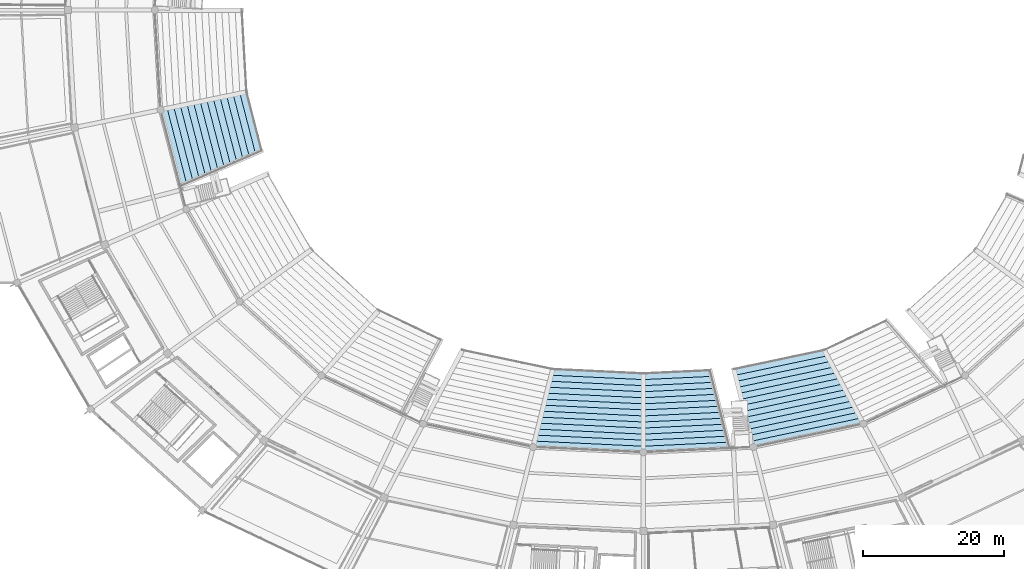
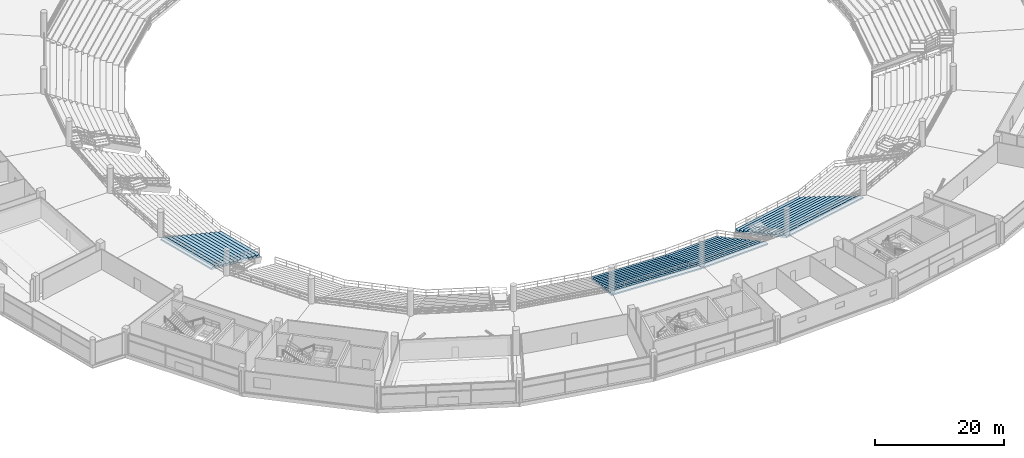
# One storey, part 110 of 156: 4 slabs.
"""IFC4 building model written with IfcOpenShell, lengths in metres."""

from ifc_helpers import new_model, si_unit, direction, frame, origin, place, context, subcontext, project, spatial, polygons, material, layer, layer_set, type_object, element, save


model = new_model("IFC4")

# Units and contexts
model_context = context("Model", 3, precision=1e-05, world=origin(), true_north=direction((0.0, 1.0)))
body_context = subcontext(model_context, "Body", "Model", "MODEL_VIEW")
ifc_project = project(units=[si_unit("LENGTHUNIT", "METRE"), si_unit("AREAUNIT", "SQUARE_METRE"), si_unit("VOLUMEUNIT", "CUBIC_METRE"), si_unit("PLANEANGLEUNIT", "RADIAN"), si_unit("MASSUNIT", "GRAM", prefix="KILO")], contexts=[model_context])

# Site, building, storey
site_placement = place(None, origin())
site = spatial("IfcSite", under=ifc_project, at=site_placement, CompositionType="ELEMENT")
building_placement = place(site_placement, origin())
building = spatial("IfcBuilding", under=site, at=building_placement, Name="Kazemori Nagisa Stadium", CompositionType="ELEMENT")
storey_placement = place(building_placement, frame((0.0, 0.0, 5.780029296875)))
storey = spatial("IfcBuildingStorey", under=building, at=storey_placement, Name="L01", CompositionType="ELEMENT", Elevation=5.780029296875)

# Slabs
ifc_material = material(Name="Concrete C36/45 (Fc36)", Category="concrete")
ifc_layer_1 = layer(ifc_material, 4.93994140625, Name="Concrete C36/45 (Fc36)", Category="concrete")
ifc_layer_set_1 = layer_set([ifc_layer_1], Name="Concrete C36/45 (Fc36)")
slab_type_1 = type_object("IfcSlabType", Name="SeatingTier_ST-LOW-13", PredefinedType="USERDEFINED", material=ifc_layer_set_1)
slab_1_placement = place(storey_placement, frame((0.0, 0.0, -5.780029296875)))
element("IfcSlab", 1, at=slab_1_placement, inside=storey, type_object=slab_type_1, Name="Stand lower tier bay 21", ObjectType="SEATING TIER", PredefinedType="USERDEFINED", context=body_context, shape_type="Tessellation", body=[
    polygons([(123.0, 50.39990234375, 0.239990234375), (123.0, 50.39990234375, 0.860107421875), (123.0, 49.539794921875, 0.860107421875), (123.0, 49.539794921875, 1.22021484375), (123.0, 48.679931640625, 1.22021484375), (123.0, 48.679931640625, 1.580322265625), (123.0, 47.81982421875, 1.580322265625), (123.0, 47.81982421875, 1.9404296875), (123.0, 46.9599609375, 1.9404296875), (123.0, 46.9599609375, 2.300537109375), (123.0, 46.099853515625, 2.300537109375), (123.0, 46.099853515625, 2.66064453125), (123.0, 45.239990234375, 2.66064453125), (123.0, 45.239990234375, 3.020751953125), (123.0, 44.3798828125, 3.020751953125), (123.0, 44.3798828125, 3.380859375), (123.0, 43.52001953125, 3.380859375), (123.0, 43.52001953125, 3.740966796875), (123.0, 42.659912109375, 3.740966796875), (123.0, 42.659912109375, 4.10107421875), (123.0, 41.800048828125, 4.10107421875), (123.0, 41.800048828125, 4.461181640625), (123.0, 40.93994140625, 4.461181640625), (123.0, 40.93994140625, 4.8212890625), (123.0, 40.080078125, 4.8212890625), (123.0, 40.080078125, 5.181396484375), (123.0, 39.219970703125, 5.181396484375), (123.0, 39.219970703125, 4.92138671875), (123.0, 40.080078125, 4.561279296875), (123.0, 40.93994140625, 4.201171875), (123.0, 41.800048828125, 3.841064453125), (123.0, 42.659912109375, 3.48095703125), (123.0, 43.52001953125, 3.120849609375), (123.0, 44.3798828125, 2.7607421875), (123.0, 45.239990234375, 2.400634765625), (123.0, 46.099853515625, 2.04052734375), (123.0, 46.9599609375, 1.680419921875), (123.0, 47.81982421875, 1.3203125), (123.0, 48.679931640625, 0.960205078125), (123.0, 49.539794921875, 0.60009765625), (110.143310546875, 51.0078125, 0.239990234375), (110.143310546875, 51.0078125, 0.860107421875), (109.928955078125, 50.157958984375, 0.860107421875), (109.928955078125, 50.157958984375, 1.22021484375), (109.71484375, 49.30810546875, 1.22021484375), (109.71484375, 49.30810546875, 1.580322265625), (109.50048828125, 48.458251953125, 1.580322265625), (109.50048828125, 48.458251953125, 1.9404296875), (109.286376953125, 47.6083984375, 1.9404296875), (109.286376953125, 47.6083984375, 2.300537109375), (109.072021484375, 46.758544921875, 2.300537109375), (109.072021484375, 46.758544921875, 2.66064453125), (108.857666015625, 45.90869140625, 2.66064453125), (108.857666015625, 45.90869140625, 3.020751953125), (108.6435546875, 45.058837890625, 3.020751953125), (108.6435546875, 45.058837890625, 3.380859375), (108.42919921875, 44.208984375, 3.380859375), (108.42919921875, 44.208984375, 3.740966796875), (108.21484375, 43.359130859375, 3.740966796875), (108.21484375, 43.359130859375, 4.10107421875), (108.000732421875, 42.50927734375, 4.10107421875), (108.000732421875, 42.50927734375, 4.461181640625), (107.786376953125, 41.659423828125, 4.461181640625), (107.786376953125, 41.659423828125, 4.8212890625), (107.572265625, 40.8095703125, 4.8212890625), (107.572265625, 40.8095703125, 5.181396484375), (107.35791015625, 39.959716796875, 5.181396484375), (107.35791015625, 39.959716796875, 4.92138671875), (107.572265625, 40.8095703125, 4.561279296875), (107.786376953125, 41.659423828125, 4.201171875), (108.000732421875, 42.50927734375, 3.841064453125), (108.21484375, 43.359130859375, 3.48095703125), (108.42919921875, 44.208984375, 3.120849609375), (108.6435546875, 45.058837890625, 2.7607421875), (108.857666015625, 45.90869140625, 2.400634765625), (109.072021484375, 46.758544921875, 2.04052734375), (109.286376953125, 47.6083984375, 1.680419921875), (109.50048828125, 48.458251953125, 1.3203125), (109.71484375, 49.30810546875, 0.960205078125), (109.928955078125, 50.157958984375, 0.60009765625)], [[[1, 41, 42]], [[1, 42, 2]], [[2, 42, 43]], [[2, 43, 3]], [[3, 43, 44]], [[3, 44, 4]], [[4, 44, 45]], [[4, 45, 5]], [[5, 45, 46]], [[5, 46, 6]], [[6, 46, 47]], [[6, 47, 7]], [[7, 47, 48]], [[7, 48, 8]], [[8, 48, 49]], [[8, 49, 9]], [[9, 49, 50]], [[9, 50, 10]], [[10, 50, 51]], [[10, 51, 11]], [[11, 51, 52]], [[11, 52, 12]], [[12, 52, 53]], [[12, 53, 13]], [[13, 53, 54]], [[13, 54, 14]], [[14, 54, 55]], [[14, 55, 15]], [[15, 55, 56]], [[15, 56, 16]], [[16, 56, 57]], [[16, 57, 17]], [[17, 57, 58]], [[17, 58, 18]], [[18, 58, 59]], [[18, 59, 19]], [[19, 59, 60]], [[19, 60, 20]], [[20, 60, 61]], [[20, 61, 21]], [[21, 61, 62]], [[21, 62, 22]], [[22, 62, 63]], [[22, 63, 23]], [[23, 63, 64]], [[23, 64, 24]], [[24, 64, 65]], [[24, 65, 25]], [[25, 65, 66]], [[25, 66, 26]], [[26, 66, 67]], [[26, 67, 27]], [[27, 67, 68]], [[27, 68, 28]], [[28, 68, 29]], [[29, 68, 69]], [[29, 69, 30]], [[30, 69, 70]], [[30, 70, 31]], [[31, 70, 71]], [[31, 71, 32]], [[32, 71, 72]], [[32, 72, 33]], [[33, 72, 73]], [[33, 73, 34]], [[34, 73, 74]], [[34, 74, 35]], [[35, 74, 75]], [[35, 75, 36]], [[36, 75, 76]], [[36, 76, 37]], [[37, 76, 77]], [[37, 77, 38]], [[38, 77, 78]], [[38, 78, 39]], [[39, 78, 79]], [[39, 79, 40]], [[40, 79, 80]], [[40, 80, 1]], [[1, 80, 41]], [[1, 2, 3]], [[43, 42, 41]], [[1, 3, 40]], [[80, 43, 41]], [[40, 3, 39]], [[79, 43, 80]], [[39, 3, 5]], [[45, 43, 79]], [[3, 4, 5]], [[45, 44, 43]], [[39, 5, 38]], [[78, 45, 79]], [[38, 5, 7]], [[47, 45, 78]], [[5, 6, 7]], [[47, 46, 45]], [[38, 7, 37]], [[77, 47, 78]], [[37, 7, 9]], [[49, 47, 77]], [[7, 8, 9]], [[49, 48, 47]], [[37, 9, 36]], [[76, 49, 77]], [[36, 9, 11]], [[51, 49, 76]], [[9, 10, 11]], [[51, 50, 49]], [[36, 11, 35]], [[75, 51, 76]], [[35, 11, 13]], [[53, 51, 75]], [[11, 12, 13]], [[53, 52, 51]], [[35, 13, 34]], [[74, 53, 75]], [[34, 13, 15]], [[55, 53, 74]], [[13, 14, 15]], [[55, 54, 53]], [[34, 15, 33]], [[73, 55, 74]], [[33, 15, 17]], [[57, 55, 73]], [[15, 16, 17]], [[57, 56, 55]], [[33, 17, 32]], [[72, 57, 73]], [[32, 17, 19]], [[59, 57, 72]], [[17, 18, 19]], [[59, 58, 57]], [[32, 19, 31]], [[71, 59, 72]], [[31, 19, 21]], [[61, 59, 71]], [[19, 20, 21]], [[61, 60, 59]], [[31, 21, 30]], [[70, 61, 71]], [[30, 21, 23]], [[63, 61, 70]], [[21, 22, 23]], [[63, 62, 61]], [[30, 23, 29]], [[69, 63, 70]], [[29, 23, 25]], [[65, 63, 69]], [[23, 24, 25]], [[65, 64, 63]], [[29, 25, 28]], [[68, 65, 69]], [[28, 25, 27]], [[67, 65, 68]], [[25, 26, 27]], [[67, 66, 65]]], closed=True),
])
slab_2_placement = place(storey_placement, frame((0.0, 0.0, -5.780029296875)))
element("IfcSlab", 2, at=slab_2_placement, inside=storey, type_object=slab_type_1, Name="Stand lower tier bay 23", ObjectType="SEATING TIER", PredefinedType="USERDEFINED", context=body_context, shape_type="Tessellation", body=[
    polygons([(148.682861328125, 53.721435546875, 0.239990234375), (148.682861328125, 53.721435546875, 0.860107421875), (149.11083984375, 52.916748046875, 0.860107421875), (149.11083984375, 52.916748046875, 1.22021484375), (149.5390625, 52.112060546875, 1.22021484375), (149.5390625, 52.112060546875, 1.580322265625), (149.967041015625, 51.307373046875, 1.580322265625), (149.967041015625, 51.307373046875, 1.9404296875), (150.39501953125, 50.5029296875, 1.9404296875), (150.39501953125, 50.5029296875, 2.300537109375), (150.8232421875, 49.6982421875, 2.300537109375), (150.8232421875, 49.6982421875, 2.66064453125), (151.251220703125, 48.8935546875, 2.66064453125), (151.251220703125, 48.8935546875, 3.020751953125), (151.67919921875, 48.0888671875, 3.020751953125), (151.67919921875, 48.0888671875, 3.380859375), (152.107177734375, 47.2841796875, 3.380859375), (152.107177734375, 47.2841796875, 3.740966796875), (152.535400390625, 46.4794921875, 3.740966796875), (152.535400390625, 46.4794921875, 4.10107421875), (152.96337890625, 45.675048828125, 4.10107421875), (152.96337890625, 45.675048828125, 4.461181640625), (153.391357421875, 44.870361328125, 4.461181640625), (153.391357421875, 44.870361328125, 4.8212890625), (153.819580078125, 44.065673828125, 4.8212890625), (153.819580078125, 44.065673828125, 5.181396484375), (154.24755859375, 43.260986328125, 5.181396484375), (154.24755859375, 43.260986328125, 4.92138671875), (153.819580078125, 44.065673828125, 4.561279296875), (153.391357421875, 44.870361328125, 4.201171875), (152.96337890625, 45.675048828125, 3.841064453125), (152.535400390625, 46.4794921875, 3.48095703125), (152.107177734375, 47.2841796875, 3.120849609375), (151.67919921875, 48.0888671875, 2.7607421875), (151.251220703125, 48.8935546875, 2.400634765625), (150.8232421875, 49.6982421875, 2.04052734375), (150.39501953125, 50.5029296875, 1.680419921875), (149.967041015625, 51.307373046875, 1.3203125), (149.5390625, 52.112060546875, 0.960205078125), (149.11083984375, 52.916748046875, 0.60009765625), (135.856689453125, 51.0078125, 0.239990234375), (135.856689453125, 51.0078125, 0.860107421875), (136.071044921875, 50.157958984375, 0.860107421875), (136.071044921875, 50.157958984375, 1.22021484375), (136.28515625, 49.30810546875, 1.22021484375), (136.28515625, 49.30810546875, 1.580322265625), (136.49951171875, 48.458251953125, 1.580322265625), (136.49951171875, 48.458251953125, 1.9404296875), (136.713623046875, 47.6083984375, 1.9404296875), (136.713623046875, 47.6083984375, 2.300537109375), (136.927978515625, 46.758544921875, 2.300537109375), (136.927978515625, 46.758544921875, 2.66064453125), (137.142333984375, 45.90869140625, 2.66064453125), (137.142333984375, 45.90869140625, 3.020751953125), (137.3564453125, 45.058837890625, 3.020751953125), (137.3564453125, 45.058837890625, 3.380859375), (137.57080078125, 44.208984375, 3.380859375), (137.57080078125, 44.208984375, 3.740966796875), (137.78515625, 43.359130859375, 3.740966796875), (137.78515625, 43.359130859375, 4.10107421875), (137.999267578125, 42.50927734375, 4.10107421875), (137.999267578125, 42.50927734375, 4.461181640625), (138.213623046875, 41.659423828125, 4.461181640625), (138.213623046875, 41.659423828125, 4.8212890625), (138.427734375, 40.8095703125, 4.8212890625), (138.427734375, 40.8095703125, 5.181396484375), (138.64208984375, 39.959716796875, 5.181396484375), (138.64208984375, 39.959716796875, 4.92138671875), (138.427734375, 40.8095703125, 4.561279296875), (138.213623046875, 41.659423828125, 4.201171875), (137.999267578125, 42.50927734375, 3.841064453125), (137.78515625, 43.359130859375, 3.48095703125), (137.57080078125, 44.208984375, 3.120849609375), (137.3564453125, 45.058837890625, 2.7607421875), (137.142333984375, 45.90869140625, 2.400634765625), (136.927978515625, 46.758544921875, 2.04052734375), (136.713623046875, 47.6083984375, 1.680419921875), (136.49951171875, 48.458251953125, 1.3203125), (136.28515625, 49.30810546875, 0.960205078125), (136.071044921875, 50.157958984375, 0.60009765625)], [[[1, 41, 42]], [[1, 42, 2]], [[2, 42, 43]], [[2, 43, 3]], [[3, 43, 44]], [[3, 44, 4]], [[4, 44, 45]], [[4, 45, 5]], [[5, 45, 46]], [[5, 46, 6]], [[6, 46, 47]], [[6, 47, 7]], [[7, 47, 48]], [[7, 48, 8]], [[8, 48, 49]], [[8, 49, 9]], [[9, 49, 50]], [[9, 50, 10]], [[10, 50, 51]], [[10, 51, 11]], [[11, 51, 52]], [[11, 52, 12]], [[12, 52, 53]], [[12, 53, 13]], [[13, 53, 54]], [[13, 54, 14]], [[14, 54, 55]], [[14, 55, 15]], [[15, 55, 56]], [[15, 56, 16]], [[16, 56, 57]], [[16, 57, 17]], [[17, 57, 58]], [[17, 58, 18]], [[18, 58, 59]], [[18, 59, 19]], [[19, 59, 60]], [[19, 60, 20]], [[20, 60, 61]], [[20, 61, 21]], [[21, 61, 62]], [[21, 62, 22]], [[22, 62, 63]], [[22, 63, 23]], [[23, 63, 64]], [[23, 64, 24]], [[24, 64, 65]], [[24, 65, 25]], [[25, 65, 66]], [[25, 66, 26]], [[26, 66, 67]], [[26, 67, 27]], [[27, 67, 68]], [[27, 68, 28]], [[28, 68, 29]], [[29, 68, 69]], [[29, 69, 30]], [[30, 69, 70]], [[30, 70, 31]], [[31, 70, 71]], [[31, 71, 32]], [[32, 71, 72]], [[32, 72, 33]], [[33, 72, 73]], [[33, 73, 34]], [[34, 73, 74]], [[34, 74, 35]], [[35, 74, 75]], [[35, 75, 36]], [[36, 75, 76]], [[36, 76, 37]], [[37, 76, 77]], [[37, 77, 38]], [[38, 77, 78]], [[38, 78, 39]], [[39, 78, 79]], [[39, 79, 40]], [[40, 79, 80]], [[40, 80, 1]], [[1, 80, 41]], [[1, 2, 3]], [[43, 42, 41]], [[1, 3, 40]], [[80, 43, 41]], [[40, 3, 39]], [[79, 43, 80]], [[39, 3, 5]], [[45, 43, 79]], [[3, 4, 5]], [[45, 44, 43]], [[39, 5, 38]], [[78, 45, 79]], [[38, 5, 7]], [[47, 45, 78]], [[5, 6, 7]], [[47, 46, 45]], [[38, 7, 37]], [[77, 47, 78]], [[37, 7, 9]], [[49, 47, 77]], [[7, 8, 9]], [[49, 48, 47]], [[37, 9, 36]], [[76, 49, 77]], [[36, 9, 11]], [[51, 49, 76]], [[9, 10, 11]], [[51, 50, 49]], [[36, 11, 35]], [[75, 51, 76]], [[35, 11, 13]], [[53, 51, 75]], [[11, 12, 13]], [[53, 52, 51]], [[35, 13, 34]], [[74, 53, 75]], [[34, 13, 15]], [[55, 53, 74]], [[13, 14, 15]], [[55, 54, 53]], [[34, 15, 33]], [[73, 55, 74]], [[33, 15, 17]], [[57, 55, 73]], [[15, 16, 17]], [[57, 56, 55]], [[33, 17, 32]], [[72, 57, 73]], [[32, 17, 19]], [[59, 57, 72]], [[17, 18, 19]], [[59, 58, 57]], [[32, 19, 31]], [[71, 59, 72]], [[31, 19, 21]], [[61, 59, 71]], [[19, 20, 21]], [[61, 60, 59]], [[31, 21, 30]], [[70, 61, 71]], [[30, 21, 23]], [[63, 61, 70]], [[21, 22, 23]], [[63, 62, 61]], [[30, 23, 29]], [[69, 63, 70]], [[29, 23, 25]], [[65, 63, 69]], [[23, 24, 25]], [[65, 64, 63]], [[29, 25, 28]], [[68, 65, 69]], [[28, 25, 27]], [[67, 65, 68]], [[25, 26, 27]], [[67, 66, 65]]], closed=True),
])
ifc_layer_2 = layer(ifc_material, 4.93994140625, Name="Concrete C36/45 (Fc36)", Category="concrete")
ifc_layer_set_2 = layer_set([ifc_layer_2], Name="Concrete C36/45 (Fc36)")
slab_type_2 = type_object("IfcSlabType", Name="SeatingTier_ST-LOW-13V", PredefinedType="USERDEFINED", material=ifc_layer_set_2)
slab_3_placement = place(storey_placement, frame((0.0, 0.0, -5.780029296875)))
element("IfcSlab", 3, at=slab_3_placement, inside=storey, type_object=slab_type_2, Name="Stand lower tier bay 16", ObjectType="SEATING TIER", PredefinedType="USERDEFINED", context=body_context, shape_type="Tessellation", body=[
    polygons([(68.819091796875, 82.042236328125, 0.239990234375), (68.819091796875, 82.042236328125, 0.860107421875), (67.93017578125, 81.65478515625, 0.860107421875), (67.93017578125, 81.65478515625, 1.22021484375), (67.04150390625, 81.267333984375, 1.22021484375), (67.04150390625, 81.267333984375, 1.580322265625), (66.152587890625, 80.8798828125, 1.580322265625), (66.152587890625, 80.8798828125, 1.9404296875), (65.263671875, 80.4921875, 1.9404296875), (65.263671875, 80.4921875, 2.300537109375), (64.375, 80.104736328125, 2.300537109375), (64.375, 80.104736328125, 2.66064453125), (63.486083984375, 79.71728515625, 2.66064453125), (63.486083984375, 79.71728515625, 3.020751953125), (62.59716796875, 79.329833984375, 3.020751953125), (62.59716796875, 79.329833984375, 3.380859375), (61.708251953125, 78.9423828125, 3.380859375), (61.708251953125, 78.9423828125, 3.740966796875), (60.819580078125, 78.554931640625, 3.740966796875), (60.819580078125, 78.554931640625, 4.10107421875), (59.9306640625, 78.167236328125, 4.10107421875), (59.9306640625, 78.167236328125, 4.461181640625), (59.041748046875, 77.77978515625, 4.461181640625), (59.041748046875, 77.77978515625, 4.8212890625), (58.153076171875, 77.392333984375, 4.8212890625), (58.153076171875, 77.392333984375, 5.181396484375), (57.26416015625, 77.0048828125, 5.181396484375), (57.26416015625, 77.0048828125, 4.92138671875), (58.153076171875, 77.392333984375, 4.561279296875), (59.041748046875, 77.77978515625, 4.201171875), (59.9306640625, 78.167236328125, 3.841064453125), (60.819580078125, 78.554931640625, 3.48095703125), (61.708251953125, 78.9423828125, 3.120849609375), (62.59716796875, 79.329833984375, 2.7607421875), (63.486083984375, 79.71728515625, 2.400634765625), (64.375, 80.104736328125, 2.04052734375), (65.263671875, 80.4921875, 1.680419921875), (66.152587890625, 80.8798828125, 1.3203125), (67.04150390625, 81.267333984375, 0.960205078125), (67.93017578125, 81.65478515625, 0.60009765625), (66.671630859375, 90.361328125, 0.239990234375), (66.671630859375, 90.361328125, 0.860107421875), (65.73291015625, 90.167236328125, 0.860107421875), (65.73291015625, 90.167236328125, 1.22021484375), (64.7939453125, 89.973388671875, 1.22021484375), (64.7939453125, 89.973388671875, 1.580322265625), (63.855224609375, 89.779296875, 1.580322265625), (63.855224609375, 89.779296875, 1.9404296875), (62.916259765625, 89.58544921875, 1.9404296875), (62.916259765625, 89.58544921875, 2.300537109375), (61.9775390625, 89.391357421875, 2.300537109375), (61.9775390625, 89.391357421875, 2.66064453125), (61.038818359375, 89.197509765625, 2.66064453125), (61.038818359375, 89.197509765625, 3.020751953125), (60.099853515625, 89.00341796875, 3.020751953125), (60.099853515625, 89.00341796875, 3.380859375), (59.1611328125, 88.8095703125, 3.380859375), (59.1611328125, 88.8095703125, 3.740966796875), (58.222412109375, 88.615478515625, 3.740966796875), (58.222412109375, 88.615478515625, 4.10107421875), (57.283447265625, 88.421630859375, 4.10107421875), (57.283447265625, 88.421630859375, 4.461181640625), (56.3447265625, 88.2275390625, 4.461181640625), (56.3447265625, 88.2275390625, 4.8212890625), (55.40576171875, 88.03369140625, 4.8212890625), (55.40576171875, 88.03369140625, 5.181396484375), (54.467041015625, 87.839599609375, 5.181396484375), (54.467041015625, 87.839599609375, 4.92138671875), (55.40576171875, 88.03369140625, 4.561279296875), (56.3447265625, 88.2275390625, 4.201171875), (57.283447265625, 88.421630859375, 3.841064453125), (58.222412109375, 88.615478515625, 3.48095703125), (59.1611328125, 88.8095703125, 3.120849609375), (60.099853515625, 89.00341796875, 2.7607421875), (61.038818359375, 89.197509765625, 2.400634765625), (61.9775390625, 89.391357421875, 2.04052734375), (62.916259765625, 89.58544921875, 1.680419921875), (63.855224609375, 89.779296875, 1.3203125), (64.7939453125, 89.973388671875, 0.960205078125), (65.73291015625, 90.167236328125, 0.60009765625)], [[[1, 41, 42]], [[1, 42, 2]], [[2, 42, 43]], [[2, 43, 3]], [[3, 43, 44]], [[3, 44, 4]], [[4, 44, 45]], [[4, 45, 5]], [[5, 45, 46]], [[5, 46, 6]], [[6, 46, 47]], [[6, 47, 7]], [[7, 47, 48]], [[7, 48, 8]], [[8, 48, 49]], [[8, 49, 9]], [[9, 49, 50]], [[9, 50, 10]], [[10, 50, 51]], [[10, 51, 11]], [[11, 51, 52]], [[11, 52, 12]], [[12, 52, 53]], [[12, 53, 13]], [[13, 53, 54]], [[13, 54, 14]], [[14, 54, 55]], [[14, 55, 15]], [[15, 55, 56]], [[15, 56, 16]], [[16, 56, 57]], [[16, 57, 17]], [[17, 57, 58]], [[17, 58, 18]], [[18, 58, 59]], [[18, 59, 19]], [[19, 59, 60]], [[19, 60, 20]], [[20, 60, 61]], [[20, 61, 21]], [[21, 61, 62]], [[21, 62, 22]], [[22, 62, 63]], [[22, 63, 23]], [[23, 63, 64]], [[23, 64, 24]], [[24, 64, 65]], [[24, 65, 25]], [[25, 65, 66]], [[25, 66, 26]], [[26, 66, 67]], [[26, 67, 27]], [[27, 67, 68]], [[27, 68, 28]], [[28, 68, 29]], [[29, 68, 69]], [[29, 69, 30]], [[30, 69, 70]], [[30, 70, 31]], [[31, 70, 71]], [[31, 71, 32]], [[32, 71, 72]], [[32, 72, 33]], [[33, 72, 73]], [[33, 73, 34]], [[34, 73, 74]], [[34, 74, 35]], [[35, 74, 75]], [[35, 75, 36]], [[36, 75, 76]], [[36, 76, 37]], [[37, 76, 77]], [[37, 77, 38]], [[38, 77, 78]], [[38, 78, 39]], [[39, 78, 79]], [[39, 79, 40]], [[40, 79, 80]], [[40, 80, 1]], [[1, 80, 41]], [[1, 2, 3]], [[43, 42, 41]], [[1, 3, 40]], [[80, 43, 41]], [[40, 3, 39]], [[79, 43, 80]], [[39, 3, 5]], [[45, 43, 79]], [[3, 4, 5]], [[45, 44, 43]], [[39, 5, 38]], [[78, 45, 79]], [[38, 5, 7]], [[47, 45, 78]], [[5, 6, 7]], [[47, 46, 45]], [[38, 7, 37]], [[77, 47, 78]], [[37, 7, 9]], [[49, 47, 77]], [[7, 8, 9]], [[49, 48, 47]], [[37, 9, 36]], [[76, 49, 77]], [[36, 9, 11]], [[51, 49, 76]], [[9, 10, 11]], [[51, 50, 49]], [[36, 11, 35]], [[75, 51, 76]], [[35, 11, 13]], [[53, 51, 75]], [[11, 12, 13]], [[53, 52, 51]], [[35, 13, 34]], [[74, 53, 75]], [[34, 13, 15]], [[55, 53, 74]], [[13, 14, 15]], [[55, 54, 53]], [[34, 15, 33]], [[73, 55, 74]], [[33, 15, 17]], [[57, 55, 73]], [[15, 16, 17]], [[57, 56, 55]], [[33, 17, 32]], [[72, 57, 73]], [[32, 17, 19]], [[59, 57, 72]], [[17, 18, 19]], [[59, 58, 57]], [[32, 19, 31]], [[71, 59, 72]], [[31, 19, 21]], [[61, 59, 71]], [[19, 20, 21]], [[61, 60, 59]], [[31, 21, 30]], [[70, 61, 71]], [[30, 21, 23]], [[63, 61, 70]], [[21, 22, 23]], [[63, 62, 61]], [[30, 23, 29]], [[69, 63, 70]], [[29, 23, 25]], [[65, 63, 69]], [[23, 24, 25]], [[65, 64, 63]], [[29, 25, 28]], [[68, 65, 69]], [[28, 25, 27]], [[67, 65, 68]], [[25, 26, 27]], [[67, 66, 65]]], closed=True),
])
slab_4_placement = place(storey_placement, frame((0.0, 0.0, -5.780029296875)))
element("IfcSlab", 4, at=slab_4_placement, inside=storey, type_object=slab_type_2, Name="Stand lower tier bay 22", ObjectType="SEATING TIER", PredefinedType="USERDEFINED", context=body_context, shape_type="Tessellation", body=[
    polygons([(132.46044921875, 50.847412109375, 0.239990234375), (132.46044921875, 50.847412109375, 0.860107421875), (132.6748046875, 49.99755859375, 0.860107421875), (132.6748046875, 49.99755859375, 1.22021484375), (132.888916015625, 49.147705078125, 1.22021484375), (132.888916015625, 49.147705078125, 1.580322265625), (133.103271484375, 48.2978515625, 1.580322265625), (133.103271484375, 48.2978515625, 1.9404296875), (133.317626953125, 47.447998046875, 1.9404296875), (133.317626953125, 47.447998046875, 2.300537109375), (133.53173828125, 46.59814453125, 2.300537109375), (133.53173828125, 46.59814453125, 2.66064453125), (133.74609375, 45.748291015625, 2.66064453125), (133.74609375, 45.748291015625, 3.020751953125), (133.96044921875, 44.898193359375, 3.020751953125), (133.96044921875, 44.898193359375, 3.380859375), (134.1748046875, 44.04833984375, 3.380859375), (134.1748046875, 44.04833984375, 3.740966796875), (134.388916015625, 43.198486328125, 3.740966796875), (134.388916015625, 43.198486328125, 4.10107421875), (134.603271484375, 42.3486328125, 4.10107421875), (134.603271484375, 42.3486328125, 4.461181640625), (134.817626953125, 41.498779296875, 4.461181640625), (134.817626953125, 41.498779296875, 4.8212890625), (135.03173828125, 40.64892578125, 4.8212890625), (135.03173828125, 40.64892578125, 5.181396484375), (135.24609375, 39.799072265625, 5.181396484375), (135.24609375, 39.799072265625, 4.92138671875), (135.03173828125, 40.64892578125, 4.561279296875), (134.817626953125, 41.498779296875, 4.201171875), (134.603271484375, 42.3486328125, 3.841064453125), (134.388916015625, 43.198486328125, 3.48095703125), (134.1748046875, 44.04833984375, 3.120849609375), (133.96044921875, 44.898193359375, 2.7607421875), (133.74609375, 45.748291015625, 2.400634765625), (133.53173828125, 46.59814453125, 2.04052734375), (133.317626953125, 47.447998046875, 1.680419921875), (133.103271484375, 48.2978515625, 1.3203125), (132.888916015625, 49.147705078125, 0.960205078125), (132.6748046875, 49.99755859375, 0.60009765625), (123.0, 50.39990234375, 0.239990234375), (123.0, 50.39990234375, 0.860107421875), (123.0, 49.539794921875, 0.860107421875), (123.0, 49.539794921875, 1.22021484375), (123.0, 48.679931640625, 1.22021484375), (123.0, 48.679931640625, 1.580322265625), (123.0, 47.81982421875, 1.580322265625), (123.0, 47.81982421875, 1.9404296875), (123.0, 46.9599609375, 1.9404296875), (123.0, 46.9599609375, 2.300537109375), (123.0, 46.099853515625, 2.300537109375), (123.0, 46.099853515625, 2.66064453125), (123.0, 45.239990234375, 2.66064453125), (123.0, 45.239990234375, 3.020751953125), (123.0, 44.3798828125, 3.020751953125), (123.0, 44.3798828125, 3.380859375), (123.0, 43.52001953125, 3.380859375), (123.0, 43.52001953125, 3.740966796875), (123.0, 42.659912109375, 3.740966796875), (123.0, 42.659912109375, 4.10107421875), (123.0, 41.800048828125, 4.10107421875), (123.0, 41.800048828125, 4.461181640625), (123.0, 40.93994140625, 4.461181640625), (123.0, 40.93994140625, 4.8212890625), (123.0, 40.080078125, 4.8212890625), (123.0, 40.080078125, 5.181396484375), (123.0, 39.219970703125, 5.181396484375), (123.0, 39.219970703125, 4.92138671875), (123.0, 40.080078125, 4.561279296875), (123.0, 40.93994140625, 4.201171875), (123.0, 41.800048828125, 3.841064453125), (123.0, 42.659912109375, 3.48095703125), (123.0, 43.52001953125, 3.120849609375), (123.0, 44.3798828125, 2.7607421875), (123.0, 45.239990234375, 2.400634765625), (123.0, 46.099853515625, 2.04052734375), (123.0, 46.9599609375, 1.680419921875), (123.0, 47.81982421875, 1.3203125), (123.0, 48.679931640625, 0.960205078125), (123.0, 49.539794921875, 0.60009765625)], [[[1, 41, 42]], [[1, 42, 2]], [[2, 42, 43]], [[2, 43, 3]], [[3, 43, 44]], [[3, 44, 4]], [[4, 44, 45]], [[4, 45, 5]], [[5, 45, 46]], [[5, 46, 6]], [[6, 46, 47]], [[6, 47, 7]], [[7, 47, 48]], [[7, 48, 8]], [[8, 48, 49]], [[8, 49, 9]], [[9, 49, 50]], [[9, 50, 10]], [[10, 50, 51]], [[10, 51, 11]], [[11, 51, 52]], [[11, 52, 12]], [[12, 52, 53]], [[12, 53, 13]], [[13, 53, 54]], [[13, 54, 14]], [[14, 54, 55]], [[14, 55, 15]], [[15, 55, 56]], [[15, 56, 16]], [[16, 56, 57]], [[16, 57, 17]], [[17, 57, 58]], [[17, 58, 18]], [[18, 58, 59]], [[18, 59, 19]], [[19, 59, 60]], [[19, 60, 20]], [[20, 60, 61]], [[20, 61, 21]], [[21, 61, 62]], [[21, 62, 22]], [[22, 62, 63]], [[22, 63, 23]], [[23, 63, 64]], [[23, 64, 24]], [[24, 64, 65]], [[24, 65, 25]], [[25, 65, 66]], [[25, 66, 26]], [[26, 66, 67]], [[26, 67, 27]], [[27, 67, 68]], [[27, 68, 28]], [[28, 68, 29]], [[29, 68, 69]], [[29, 69, 30]], [[30, 69, 70]], [[30, 70, 31]], [[31, 70, 71]], [[31, 71, 32]], [[32, 71, 72]], [[32, 72, 33]], [[33, 72, 73]], [[33, 73, 34]], [[34, 73, 74]], [[34, 74, 35]], [[35, 74, 75]], [[35, 75, 36]], [[36, 75, 76]], [[36, 76, 37]], [[37, 76, 77]], [[37, 77, 38]], [[38, 77, 78]], [[38, 78, 39]], [[39, 78, 79]], [[39, 79, 40]], [[40, 79, 80]], [[40, 80, 1]], [[1, 80, 41]], [[1, 2, 3]], [[43, 42, 41]], [[1, 3, 40]], [[80, 43, 41]], [[40, 3, 39]], [[79, 43, 80]], [[39, 3, 5]], [[45, 43, 79]], [[3, 4, 5]], [[45, 44, 43]], [[39, 5, 38]], [[78, 45, 79]], [[38, 5, 7]], [[47, 45, 78]], [[5, 6, 7]], [[47, 46, 45]], [[38, 7, 37]], [[77, 47, 78]], [[37, 7, 9]], [[49, 47, 77]], [[7, 8, 9]], [[49, 48, 47]], [[37, 9, 36]], [[76, 49, 77]], [[36, 9, 11]], [[51, 49, 76]], [[9, 10, 11]], [[51, 50, 49]], [[36, 11, 35]], [[75, 51, 76]], [[35, 11, 13]], [[53, 51, 75]], [[11, 12, 13]], [[53, 52, 51]], [[35, 13, 34]], [[74, 53, 75]], [[34, 13, 15]], [[55, 53, 74]], [[13, 14, 15]], [[55, 54, 53]], [[34, 15, 33]], [[73, 55, 74]], [[33, 15, 17]], [[57, 55, 73]], [[15, 16, 17]], [[57, 56, 55]], [[33, 17, 32]], [[72, 57, 73]], [[32, 17, 19]], [[59, 57, 72]], [[17, 18, 19]], [[59, 58, 57]], [[32, 19, 31]], [[71, 59, 72]], [[31, 19, 21]], [[61, 59, 71]], [[19, 20, 21]], [[61, 60, 59]], [[31, 21, 30]], [[70, 61, 71]], [[30, 21, 23]], [[63, 61, 70]], [[21, 22, 23]], [[63, 62, 61]], [[30, 23, 29]], [[69, 63, 70]], [[29, 23, 25]], [[65, 63, 69]], [[23, 24, 25]], [[65, 64, 63]], [[29, 25, 28]], [[68, 65, 69]], [[28, 25, 27]], [[67, 65, 68]], [[25, 26, 27]], [[67, 66, 65]]], closed=True),
])

save(model, "model.ifc")
